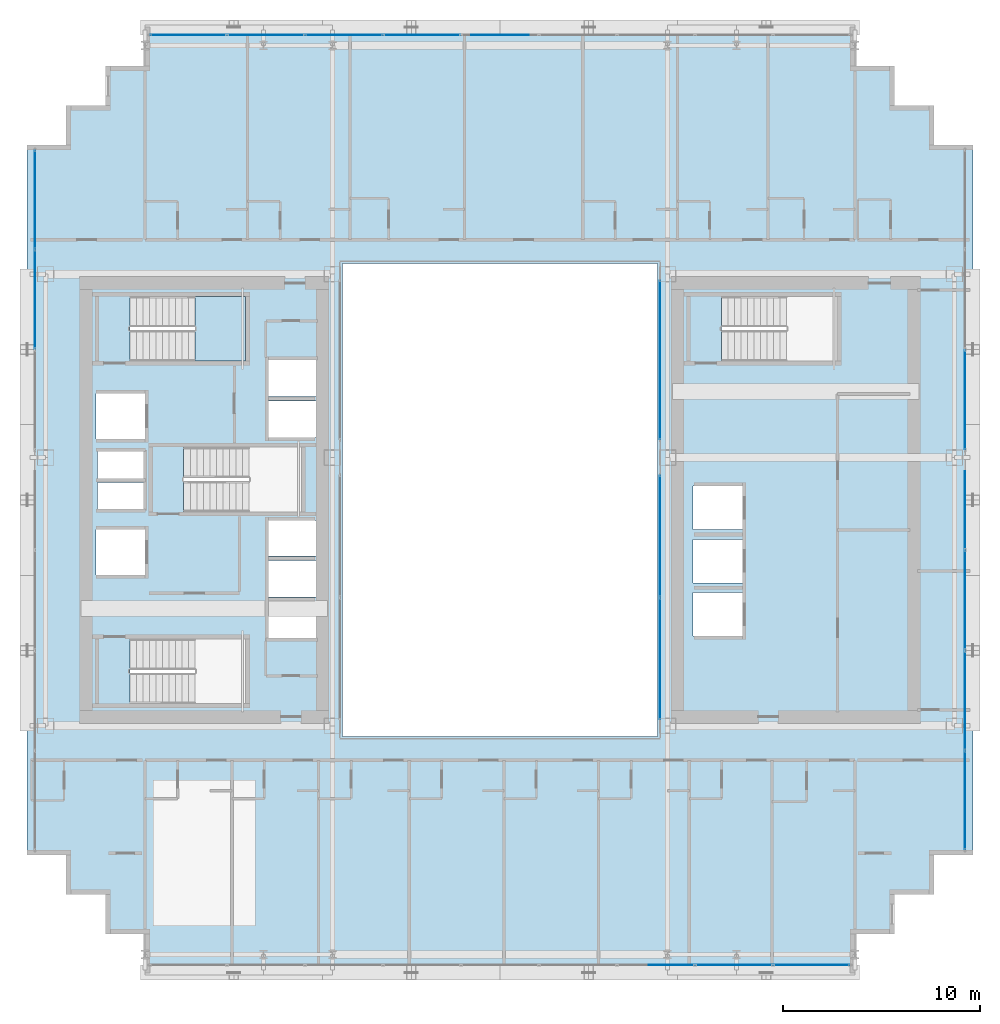
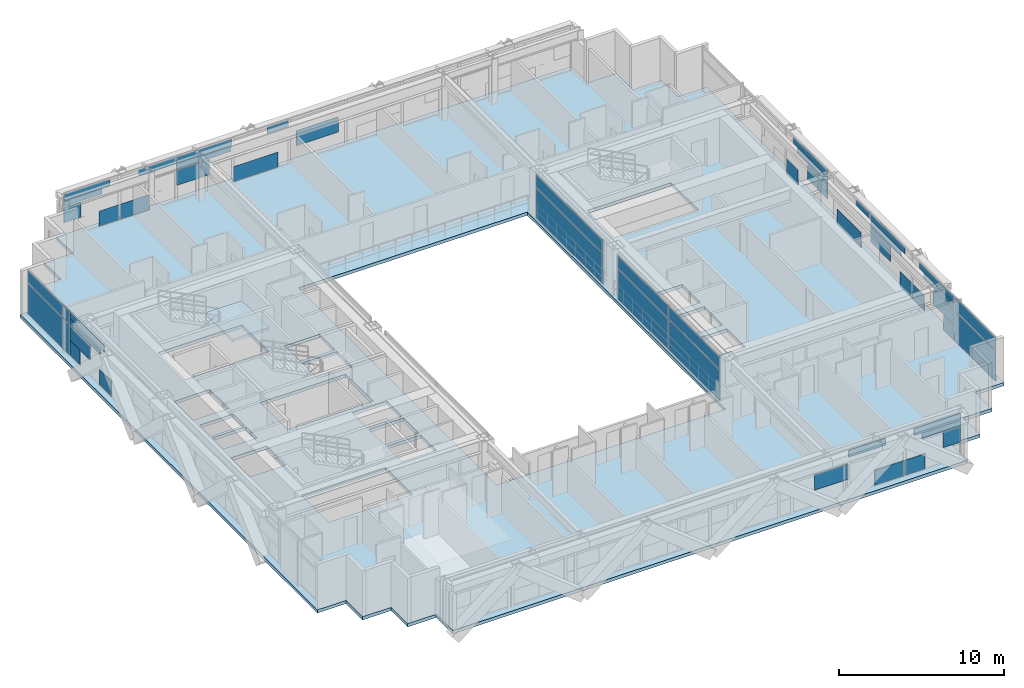
# One storey, part 27 of 39: 49 plates, 2 slabs, 7 elements without a shape of their own.
"""IFC4 building model written with IfcOpenShell, lengths in metres."""

from ifc_helpers import new_model, si_unit, direction, frame, origin, origin_2d, place, context, subcontext, project, spatial, polyline, rectangle, outline, extrude, source, transform, mapped, material, layer, layer_set, type_object, element, aggregate, save


model = new_model("IFC4")

# Units and contexts
model_context = context("Model", 3, precision=1e-05, world=origin(), true_north=direction((0.0, 1.0)))
body_context = subcontext(model_context, "Body", "Model", "MODEL_VIEW")
ifc_project = project(units=[si_unit("LENGTHUNIT", "METRE"), si_unit("AREAUNIT", "SQUARE_METRE"), si_unit("VOLUMEUNIT", "CUBIC_METRE"), si_unit("PLANEANGLEUNIT", "RADIAN"), si_unit("MASSUNIT", "GRAM", prefix="KILO")], contexts=[model_context])

# Site, building, storey
site_placement = place(None, origin())
site = spatial("IfcSite", under=ifc_project, at=site_placement, CompositionType="ELEMENT")
building_placement = place(site_placement, origin())
building = spatial("IfcBuilding", under=site, at=building_placement, Name="Ocotamira Hotel", CompositionType="ELEMENT")
storey_placement = place(building_placement, frame((0.0, 0.0, 104.39990234375)))
storey = spatial("IfcBuildingStorey", under=building, at=storey_placement, Name="L25", CompositionType="ELEMENT", Elevation=104.39990234375)

# Stair, slab
ifc_material_1 = material(Name="Concrete C40/50", Category="concrete")
stair_type = type_object("IfcStairType", Name="ST-CORE-1560", PredefinedType="HALF_TURN_STAIR", material=ifc_material_1)
stair_placement = place(storey_placement, origin())
stair = element("IfcStair", 1, at=stair_placement, inside=storey, type_object=stair_type, Name="L25 Exit Stair ST-2", PredefinedType="HALF_TURN_STAIR")
ifc_layer_1 = layer(ifc_material_1, 0.199951171875)
ifc_layer_set_1 = layer_set([ifc_layer_1], Name="Concrete C40/50")
slab_type_1 = type_object("IfcSlabType", Name="SLB-LAND-200", PredefinedType="LANDING", material=ifc_layer_set_1)
slab_1_placement = place(storey_placement, frame((0.0, 0.0, 1.60009765625)))
slab_1 = element("IfcSlab", 2, at=slab_1_placement, type_object=slab_type_1, Name="ST-2 landing 1", PredefinedType="LANDING", context=body_context, shape_type="SweptSolid", body=[
    extrude(outline(polyline([(16.530029296875, 33.050048828125), (19.090087890625, 33.050048828125), (19.090087890625, 36.330078125), (16.530029296875, 36.330078125), (16.530029296875, 33.050048828125)])), origin(), (0.0, 0.0, 1.0), 0.199951171875),
])
aggregate(stair, [slab_1])

# Slab
ifc_layer_2 = layer(ifc_material_1, 0.239990234375)
ifc_layer_set_2 = layer_set([ifc_layer_2], Name="Concrete C40/50")
slab_type_2 = type_object("IfcSlabType", Name="SLB-TYP-240", PredefinedType="FLOOR", material=ifc_layer_set_2)
slab_2_placement = place(storey_placement, frame((0.0, 0.0, -0.239990234375)))
element("IfcSlab", 3, at=slab_2_placement, inside=storey, type_object=slab_type_2, Name="L25 Structural Floor Slab", PredefinedType="FLOOR", context=body_context, shape_type="SweptSolid", body=[
    extrude(outline(polyline([(14.0, 2.0), (50.0, 2.0), (50.0, 4.0), (52.0, 4.0), (52.0, 6.0), (54.0, 6.0), (54.0, 8.0), (56.0, 8.0), (56.0, 44.0), (54.0, 44.0), (54.0, 46.0), (52.0, 46.0), (52.0, 48.0), (50.0, 48.0), (50.0, 50.0), (14.0, 50.0), (14.0, 48.0), (12.0, 48.0), (12.0, 46.0), (10.0, 46.0), (10.0, 44.0), (8.0, 44.0), (8.0, 8.0), (10.0, 8.0), (10.0, 6.0), (12.0, 6.0), (12.0, 4.0), (14.0, 4.0), (14.0, 2.0)]), holes=[polyline([(24.0, 14.0), (40.0, 14.0), (40.0, 38.0), (24.0, 38.0), (24.0, 14.0)]), polyline([(13.22998046875, 15.669921875), (19.090087890625, 15.669921875), (19.090087890625, 18.949951171875), (13.22998046875, 18.949951171875), (13.22998046875, 15.669921875)]), polyline([(13.22998046875, 33.050048828125), (19.090087890625, 33.050048828125), (19.090087890625, 36.330078125), (13.22998046875, 36.330078125), (13.22998046875, 33.050048828125)]), polyline([(15.9599609375, 25.39990234375), (21.919921875, 25.39990234375), (21.919921875, 28.679931640625), (15.9599609375, 28.679931640625), (15.9599609375, 25.39990234375)]), polyline([(43.22998046875, 33.050048828125), (49.090087890625, 33.050048828125), (49.090087890625, 36.330078125), (43.22998046875, 36.330078125), (43.22998046875, 33.050048828125)]), polyline([(41.800048828125, 19.10009765625), (44.300048828125, 19.10009765625), (44.300048828125, 21.300048828125), (41.800048828125, 21.300048828125), (41.800048828125, 19.10009765625)]), polyline([(41.800048828125, 21.800048828125), (44.300048828125, 21.800048828125), (44.300048828125, 24.0), (41.800048828125, 24.0), (41.800048828125, 21.800048828125)]), polyline([(41.800048828125, 24.5), (44.300048828125, 24.5), (44.300048828125, 26.699951171875), (41.800048828125, 26.699951171875), (41.800048828125, 24.5)]), polyline([(20.25, 19.0), (22.659912109375, 19.0), (22.659912109375, 20.85009765625), (20.25, 20.85009765625), (20.25, 19.0)]), polyline([(20.25, 21.080078125), (22.659912109375, 21.080078125), (22.659912109375, 22.929931640625), (20.25, 22.929931640625), (20.25, 21.080078125)]), polyline([(20.25, 23.159912109375), (22.659912109375, 23.159912109375), (22.659912109375, 24.9599609375), (20.25, 24.9599609375), (20.25, 23.159912109375)]), polyline([(20.25, 29.179931640625), (22.659912109375, 29.179931640625), (22.659912109375, 31.030029296875), (20.25, 31.030029296875), (20.25, 29.179931640625)]), polyline([(20.25, 31.260009765625), (22.659912109375, 31.260009765625), (22.659912109375, 33.110107421875), (20.25, 33.110107421875), (20.25, 31.260009765625)]), polyline([(11.5, 22.199951171875), (14.0, 22.199951171875), (14.0, 24.5), (11.5, 24.5), (11.5, 22.199951171875)]), polyline([(11.5, 29.10009765625), (14.0, 29.10009765625), (14.0, 31.39990234375), (11.5, 31.39990234375), (11.5, 29.10009765625)]), polyline([(11.580078125, 25.550048828125), (13.919921875, 25.550048828125), (13.919921875, 26.89990234375), (11.580078125, 26.89990234375), (11.580078125, 25.550048828125)]), polyline([(11.580078125, 27.10009765625), (13.919921875, 27.10009765625), (13.919921875, 28.449951171875), (11.580078125, 28.449951171875), (11.580078125, 27.10009765625)])]), origin(), (0.0, 0.0, 1.0), 0.239990234375),
])

# Curtain wall, plate
ifc_material_2 = material(Name="Anodised pale-metal aluminium and solar glass", Category="aluminium")
ifc_layer_3 = layer(ifc_material_2, 0.179931640625)
ifc_layer_set_3 = layer_set([ifc_layer_3], Name="Anodised pale-metal aluminium and solar glass")
curtain_wall_type_1 = type_object("IfcCurtainWallType", Name="CW-SYS3-Z2", PredefinedType="NOTDEFINED", material=ifc_layer_set_3)
curtain_wall_1_placement = place(storey_placement, origin())
curtain_wall_1 = element("IfcCurtainWall", 4, at=curtain_wall_1_placement, inside=storey, type_object=curtain_wall_type_1, Name="L25 Curtain Wall CW-3 CW-L25-W", PredefinedType="NOTDEFINED")
ifc_material_3 = material(Name="Double-silver low-E insulated solar glass", Category="glass")
ifc_layer_4 = layer(ifc_material_3, 0.031982421875)
ifc_layer_set_4 = layer_set([ifc_layer_4], Name="Double-silver low-E insulated solar glass")
plate_type = type_object("IfcPlateType", Name="CWP-VISION-32", PredefinedType="CURTAIN_PANEL", material=ifc_layer_set_4)
shared_shape_1 = source(origin(), body_context, "Body", "SweptSolid", [
    extrude(rectangle(XDim=4.9658203125, YDim=0.031982421875, at=origin_2d()), origin(), (0.0, 0.0, 1.0), 2.237548828125),
])
plate_1_placement = place(storey_placement, frame((8.419921875, 41.237060546875, 0.0751953125), z_axis=(0.0, 0.0, 1.0), x_axis=(0.0, 1.0, 0.0)))
plate_1 = element("IfcPlate", 5, at=plate_1_placement, type_object=plate_type, Name="CW-3 panel 7.1", PredefinedType="CURTAIN_PANEL", context=body_context, shape_type="MappedRepresentation", body=[
    mapped(shared_shape_1, transform((0.0, 0.0, 0.0), scale=1.0)),
])

curtain_wall_2_placement = place(storey_placement, origin())
curtain_wall_2 = element("IfcCurtainWall", 6, at=curtain_wall_2_placement, inside=storey, type_object=curtain_wall_type_1, Name="L25 Curtain Wall CW-3 CW-L25-E", PredefinedType="NOTDEFINED")
plate_2_placement = place(storey_placement, frame((55.580078125, 10.762939453125, 0.0751953125), z_axis=(0.0, 0.0, 1.0), x_axis=(0.0, 1.0, 0.0)))
plate_2 = element("IfcPlate", 7, at=plate_2_placement, type_object=plate_type, Name="CW-3 panel 1.1", PredefinedType="CURTAIN_PANEL", context=body_context, shape_type="MappedRepresentation", body=[
    mapped(shared_shape_1, transform((0.0, 0.0, 0.0), scale=1.0)),
])

# Curtain wall, plates
ifc_layer_5 = layer(ifc_material_2, 0.159912109375)
ifc_layer_set_5 = layer_set([ifc_layer_5], Name="Anodised pale-metal aluminium and solar glass")
curtain_wall_type_2 = type_object("IfcCurtainWallType", Name="CW-SYS6-ATR", PredefinedType="NOTDEFINED", material=ifc_layer_set_5)
curtain_wall_3_placement = place(storey_placement, origin())
curtain_wall_3 = element("IfcCurtainWall", 8, at=curtain_wall_3_placement, inside=storey, type_object=curtain_wall_type_2, Name="L25 Curtain Wall CW-6 CW-L25-ATRE1", PredefinedType="NOTDEFINED")
shared_shape_2 = source(origin(), body_context, "Body", "SweptSolid", [
    extrude(rectangle(XDim=6.1298828125, YDim=0.031982421875, at=origin_2d()), origin(), (0.0, 0.0, 1.0), 2.237548828125),
])
plate_3_placement = place(storey_placement, frame((40.1201171875, 17.945068359375, 0.0751953125), z_axis=(0.0, 0.0, 1.0), x_axis=(0.0, 1.0, 0.0)))
plate_3 = element("IfcPlate", 9, at=plate_3_placement, type_object=plate_type, Name="CW-6 panel 1.1", PredefinedType="CURTAIN_PANEL", context=body_context, shape_type="MappedRepresentation", body=[
    mapped(shared_shape_2, transform((0.0, 0.0, 0.0), scale=1.0)),
])
plate_4_placement = place(storey_placement, frame((40.1201171875, 24.155029296875, 0.0751953125), z_axis=(0.0, 0.0, 1.0), x_axis=(0.0, 1.0, 0.0)))
plate_4 = element("IfcPlate", 10, at=plate_4_placement, type_object=plate_type, Name="CW-6 panel 2.1", PredefinedType="CURTAIN_PANEL", context=body_context, shape_type="MappedRepresentation", body=[
    mapped(shared_shape_2, transform((0.0, 0.0, 0.0), scale=1.0)),
])

# Curtain wall, plate
curtain_wall_4_placement = place(storey_placement, origin())
curtain_wall_4 = element("IfcCurtainWall", 11, at=curtain_wall_4_placement, inside=storey, type_object=curtain_wall_type_2, Name="L25 Curtain Wall CW-6 CW-L25-ATRE2", PredefinedType="NOTDEFINED")
shared_shape_3 = source(origin(), body_context, "Body", "SweptSolid", [
    extrude(rectangle(XDim=8.0400390625, YDim=0.031982421875, at=origin_2d()), origin(), (0.0, 0.0, 1.0), 2.237548828125),
])
plate_5_placement = place(storey_placement, frame((40.1201171875, 33.10009765625, 0.0751953125), z_axis=(0.0, 0.0, 1.0), x_axis=(0.0, 1.0, 0.0)))
plate_5 = element("IfcPlate", 12, at=plate_5_placement, type_object=plate_type, Name="CW-6 panel 1.1", PredefinedType="CURTAIN_PANEL", context=body_context, shape_type="MappedRepresentation", body=[
    mapped(shared_shape_3, transform((0.0, 0.0, 0.0), scale=1.0)),
])

curtain_wall_5_placement = place(storey_placement, origin())
curtain_wall_5 = element("IfcCurtainWall", 13, at=curtain_wall_5_placement, inside=storey, type_object=curtain_wall_type_1, Name="L25 Curtain Wall CW-3 CW-L25-S1", PredefinedType="NOTDEFINED")
shared_shape_4 = source(origin(), body_context, "Body", "SweptSolid", [
    extrude(rectangle(XDim=1.184326171875, YDim=0.031982421875, at=origin_2d()), origin(), (0.0, 0.0, 1.0), 1.118896484375),
])
plate_6_placement = place(storey_placement, frame((49.127685546875, 2.419921875, 1.19384765625), z_axis=(0.0, 0.0, 1.0), x_axis=(1.0, 0.0, 0.0)))
plate_6 = element("IfcPlate", 14, at=plate_6_placement, type_object=plate_type, Name="CW-3 panel 9.1.2", PredefinedType="CURTAIN_PANEL", context=body_context, shape_type="MappedRepresentation", body=[
    mapped(shared_shape_4, transform((0.0, 0.0, 0.0), scale=1.0)),
])

curtain_wall_6_placement = place(storey_placement, origin())
curtain_wall_6 = element("IfcCurtainWall", 15, at=curtain_wall_6_placement, inside=storey, type_object=curtain_wall_type_1, Name="L25 Curtain Wall CW-3 CW-L25-N", PredefinedType="NOTDEFINED")
plate_7_placement = place(storey_placement, frame((14.872314453125, 49.580078125, 1.19384765625), z_axis=(0.0, 0.0, 1.0), x_axis=(1.0, 0.0, 0.0)))
plate_7 = element("IfcPlate", 16, at=plate_7_placement, type_object=plate_type, Name="CW-3 panel 1.1.1", PredefinedType="CURTAIN_PANEL", context=body_context, shape_type="MappedRepresentation", body=[
    mapped(shared_shape_4, transform((0.0, 0.0, 0.0), scale=1.0)),
])

# Plate
shared_shape_5 = source(origin(), body_context, "Body", "SweptSolid", [
    extrude(rectangle(XDim=2.676513671875, YDim=0.031982421875, at=origin_2d()), origin(), (0.0, 0.0, 1.0), 0.39453125),
])
plate_8_placement = place(storey_placement, frame((48.381591796875, 2.419921875, 2.3876953125), z_axis=(0.0, 0.0, 1.0), x_axis=(1.0, 0.0, 0.0)))
plate_8 = element("IfcPlate", 17, at=plate_8_placement, type_object=plate_type, Name="CW-3 panel 9.2.2", PredefinedType="CURTAIN_PANEL", context=body_context, shape_type="MappedRepresentation", body=[
    mapped(shared_shape_5, transform((0.0, 0.0, 0.0), scale=1.0)),
])

plate_9_placement = place(storey_placement, frame((15.618408203125, 49.580078125, 2.3876953125), z_axis=(0.0, 0.0, 1.0), x_axis=(1.0, 0.0, 0.0)))
plate_9 = element("IfcPlate", 18, at=plate_9_placement, type_object=plate_type, Name="CW-3 panel 1.2.1", PredefinedType="CURTAIN_PANEL", context=body_context, shape_type="MappedRepresentation", body=[
    mapped(shared_shape_5, transform((0.0, 0.0, 0.0), scale=1.0)),
])

shared_shape_6 = source(origin(), body_context, "Body", "SweptSolid", [
    extrude(rectangle(XDim=3.208740234375, YDim=0.031982421875, at=origin_2d()), origin(), (0.0, 0.0, 1.0), 0.4716796875),
])
plate_10_placement = place(storey_placement, frame((48.115478515625, 2.419921875, 2.8134765625), z_axis=(0.0, 0.0, 1.0), x_axis=(1.0, 0.0, 0.0)))
plate_10 = element("IfcPlate", 19, at=plate_10_placement, type_object=plate_type, Name="CW-3 panel 9.2.1", PredefinedType="CURTAIN_PANEL", context=body_context, shape_type="MappedRepresentation", body=[
    mapped(shared_shape_6, transform((0.0, 0.0, 0.0), scale=1.0)),
])

plate_11_placement = place(storey_placement, frame((15.884521484375, 49.580078125, 2.8134765625), z_axis=(0.0, 0.0, 1.0), x_axis=(1.0, 0.0, 0.0)))
plate_11 = element("IfcPlate", 20, at=plate_11_placement, type_object=plate_type, Name="CW-3 panel 1.2.2", PredefinedType="CURTAIN_PANEL", context=body_context, shape_type="MappedRepresentation", body=[
    mapped(shared_shape_6, transform((0.0, 0.0, 0.0), scale=1.0)),
])

shared_shape_7 = source(origin(), body_context, "Body", "SweptSolid", [
    extrude(rectangle(XDim=2.559814453125, YDim=0.031982421875, at=origin_2d()), origin(), (0.0, 0.0, 1.0), 0.4716796875),
])
plate_12_placement = place(storey_placement, frame((43.208740234375, 2.419921875, 2.8134765625), z_axis=(0.0, 0.0, 1.0), x_axis=(1.0, 0.0, 0.0)))
plate_12 = element("IfcPlate", 21, at=plate_12_placement, type_object=plate_type, Name="CW-3 panel 8.2.1", PredefinedType="CURTAIN_PANEL", context=body_context, shape_type="MappedRepresentation", body=[
    mapped(shared_shape_7, transform((0.0, 0.0, 0.0), scale=1.0)),
])

plate_13_placement = place(storey_placement, frame((20.791259765625, 49.580078125, 2.8134765625), z_axis=(0.0, 0.0, 1.0), x_axis=(1.0, 0.0, 0.0)))
plate_13 = element("IfcPlate", 22, at=plate_13_placement, type_object=plate_type, Name="CW-3 panel 2.2.1", PredefinedType="CURTAIN_PANEL", context=body_context, shape_type="MappedRepresentation", body=[
    mapped(shared_shape_7, transform((0.0, 0.0, 0.0), scale=1.0)),
])

shared_shape_8 = source(origin(), body_context, "Body", "SweptSolid", [
    extrude(rectangle(XDim=2.313232421875, YDim=0.031982421875, at=origin_2d()), origin(), (0.0, 0.0, 1.0), 1.118896484375),
])
plate_14_placement = place(storey_placement, frame((40.6923828125, 2.419921875, 1.19384765625), z_axis=(0.0, 0.0, 1.0), x_axis=(1.0, 0.0, 0.0)))
plate_14 = element("IfcPlate", 23, at=plate_14_placement, type_object=plate_type, Name="CW-3 panel 7.1.1", PredefinedType="CURTAIN_PANEL", context=body_context, shape_type="MappedRepresentation", body=[
    mapped(shared_shape_8, transform((0.0, 0.0, 0.0), scale=1.0)),
])

plate_15_placement = place(storey_placement, frame((23.3076171875, 49.580078125, 1.19384765625), z_axis=(0.0, 0.0, 1.0), x_axis=(1.0, 0.0, 0.0)))
plate_15 = element("IfcPlate", 24, at=plate_15_placement, type_object=plate_type, Name="CW-3 panel 3.1.1", PredefinedType="CURTAIN_PANEL", context=body_context, shape_type="MappedRepresentation", body=[
    mapped(shared_shape_8, transform((0.0, 0.0, 0.0), scale=1.0)),
])

shared_shape_9 = source(origin(), body_context, "Body", "SweptSolid", [
    extrude(rectangle(XDim=3.805419921875, YDim=0.031982421875, at=origin_2d()), origin(), (0.0, 0.0, 1.0), 0.42578125),
])
plate_16_placement = place(storey_placement, frame((24.0537109375, 49.580078125, 2.3876953125), z_axis=(0.0, 0.0, 1.0), x_axis=(1.0, 0.0, 0.0)))
plate_16 = element("IfcPlate", 25, at=plate_16_placement, type_object=plate_type, Name="CW-3 panel 3.2.1", PredefinedType="CURTAIN_PANEL", context=body_context, shape_type="MappedRepresentation", body=[
    mapped(shared_shape_9, transform((0.0, 0.0, 0.0), scale=1.0)),
])

shared_shape_10 = source(origin(), body_context, "Body", "SweptSolid", [
    extrude(rectangle(XDim=3.87548828125, YDim=0.031982421875, at=origin_2d()), origin(), (0.0, 0.0, 1.0), 0.4716796875),
])
plate_17_placement = place(storey_placement, frame((24.0888671875, 49.580078125, 2.8134765625), z_axis=(0.0, 0.0, 1.0), x_axis=(1.0, 0.0, 0.0)))
plate_17 = element("IfcPlate", 26, at=plate_17_placement, type_object=plate_type, Name="CW-3 panel 3.2.2", PredefinedType="CURTAIN_PANEL", context=body_context, shape_type="MappedRepresentation", body=[
    mapped(shared_shape_10, transform((0.0, 0.0, 0.0), scale=1.0)),
])

shared_shape_11 = source(origin(), body_context, "Body", "SweptSolid", [
    extrude(rectangle(XDim=1.470947265625, YDim=0.031982421875, at=origin_2d()), origin(), (0.0, 0.0, 1.0), 0.4716796875),
])
plate_18_placement = place(storey_placement, frame((29.24658203125, 49.580078125, 2.8134765625), z_axis=(0.0, 0.0, 1.0), x_axis=(1.0, 0.0, 0.0)))
plate_18 = element("IfcPlate", 27, at=plate_18_placement, type_object=plate_type, Name="CW-3 panel 4.2.1", PredefinedType="CURTAIN_PANEL", context=body_context, shape_type="MappedRepresentation", body=[
    mapped(shared_shape_11, transform((0.0, 0.0, 0.0), scale=1.0)),
])

shared_shape_12 = source(origin(), body_context, "Body", "SweptSolid", [
    extrude(rectangle(XDim=2.9287109375, YDim=0.031982421875, at=origin_2d()), origin(), (0.0, 0.0, 1.0), 1.118896484375),
])
plate_19_placement = place(storey_placement, frame((32.0, 49.580078125, 1.19384765625), z_axis=(0.0, 0.0, 1.0), x_axis=(1.0, 0.0, 0.0)))
plate_19 = element("IfcPlate", 28, at=plate_19_placement, type_object=plate_type, Name="CW-3 panel 5.1.1", PredefinedType="CURTAIN_PANEL", context=body_context, shape_type="MappedRepresentation", body=[
    mapped(shared_shape_12, transform((0.0, 0.0, 0.0), scale=1.0)),
])

shared_shape_13 = source(origin(), body_context, "Body", "SweptSolid", [
    extrude(rectangle(XDim=4.9658203125, YDim=0.031982421875, at=origin_2d()), origin(), (0.0, 0.0, 1.0), 0.8974609375),
])
plate_20_placement = place(storey_placement, frame((8.419921875, 41.237060546875, 2.3876953125), z_axis=(0.0, 0.0, 1.0), x_axis=(0.0, 1.0, 0.0)))
plate_20 = element("IfcPlate", 29, at=plate_20_placement, type_object=plate_type, Name="CW-3 panel 7.2", PredefinedType="CURTAIN_PANEL", context=body_context, shape_type="MappedRepresentation", body=[
    mapped(shared_shape_13, transform((0.0, 0.0, 0.0), scale=1.0)),
])

plate_21_placement = place(storey_placement, frame((55.580078125, 10.762939453125, 2.3876953125), z_axis=(0.0, 0.0, 1.0), x_axis=(0.0, 1.0, 0.0)))
plate_21 = element("IfcPlate", 30, at=plate_21_placement, type_object=plate_type, Name="CW-3 panel 1.2", PredefinedType="CURTAIN_PANEL", context=body_context, shape_type="MappedRepresentation", body=[
    mapped(shared_shape_13, transform((0.0, 0.0, 0.0), scale=1.0)),
])

shared_shape_14 = source(origin(), body_context, "Body", "SweptSolid", [
    extrude(rectangle(XDim=2.426513671875, YDim=0.031982421875, at=origin_2d()), origin(), (0.0, 0.0, 1.0), 1.118896484375),
])
plate_22_placement = place(storey_placement, frame((8.419921875, 37.461181640625, 1.19384765625), z_axis=(0.0, 0.0, 1.0), x_axis=(0.0, 1.0, 0.0)))
plate_22 = element("IfcPlate", 31, at=plate_22_placement, type_object=plate_type, Name="CW-3 panel 6.1.2", PredefinedType="CURTAIN_PANEL", context=body_context, shape_type="MappedRepresentation", body=[
    mapped(shared_shape_14, transform((0.0, 0.0, 0.0), scale=1.0)),
])

plate_23_placement = place(storey_placement, frame((55.580078125, 14.538818359375, 1.19384765625), z_axis=(0.0, 0.0, 1.0), x_axis=(0.0, 1.0, 0.0)))
plate_23 = element("IfcPlate", 32, at=plate_23_placement, type_object=plate_type, Name="CW-3 panel 2.1.2", PredefinedType="CURTAIN_PANEL", context=body_context, shape_type="MappedRepresentation", body=[
    mapped(shared_shape_14, transform((0.0, 0.0, 0.0), scale=1.0)),
])

shared_shape_15 = source(origin(), body_context, "Body", "SweptSolid", [
    extrude(rectangle(XDim=3.69189453125, YDim=0.031982421875, at=origin_2d()), origin(), (0.0, 0.0, 1.0), 0.414306640625),
])
plate_24_placement = place(storey_placement, frame((8.419921875, 36.828369140625, 2.3876953125), z_axis=(0.0, 0.0, 1.0), x_axis=(0.0, 1.0, 0.0)))
plate_24 = element("IfcPlate", 33, at=plate_24_placement, type_object=plate_type, Name="CW-3 panel 6.2.2", PredefinedType="CURTAIN_PANEL", context=body_context, shape_type="MappedRepresentation", body=[
    mapped(shared_shape_15, transform((0.0, 0.0, 0.0), scale=1.0)),
])

plate_25_placement = place(storey_placement, frame((55.580078125, 15.171630859375, 2.3876953125), z_axis=(0.0, 0.0, 1.0), x_axis=(0.0, 1.0, 0.0)))
plate_25 = element("IfcPlate", 34, at=plate_25_placement, type_object=plate_type, Name="CW-3 panel 2.2.1", PredefinedType="CURTAIN_PANEL", context=body_context, shape_type="MappedRepresentation", body=[
    mapped(shared_shape_15, transform((0.0, 0.0, 0.0), scale=1.0)),
])

shared_shape_16 = source(origin(), body_context, "Body", "SweptSolid", [
    extrude(rectangle(XDim=4.16748046875, YDim=0.031982421875, at=origin_2d()), origin(), (0.0, 0.0, 1.0), 0.44873046875),
])
plate_26_placement = place(storey_placement, frame((8.419921875, 36.590576171875, 2.83642578125), z_axis=(0.0, 0.0, 1.0), x_axis=(0.0, 1.0, 0.0)))
plate_26 = element("IfcPlate", 35, at=plate_26_placement, type_object=plate_type, Name="CW-3 panel 6.2.1", PredefinedType="CURTAIN_PANEL", context=body_context, shape_type="MappedRepresentation", body=[
    mapped(shared_shape_16, transform((0.0, 0.0, 0.0), scale=1.0)),
])

plate_27_placement = place(storey_placement, frame((55.580078125, 15.409423828125, 2.83642578125), z_axis=(0.0, 0.0, 1.0), x_axis=(0.0, 1.0, 0.0)))
plate_27 = element("IfcPlate", 36, at=plate_27_placement, type_object=plate_type, Name="CW-3 panel 2.2.2", PredefinedType="CURTAIN_PANEL", context=body_context, shape_type="MappedRepresentation", body=[
    mapped(shared_shape_16, transform((0.0, 0.0, 0.0), scale=1.0)),
])

shared_shape_17 = source(origin(), body_context, "Body", "SweptSolid", [
    extrude(rectangle(XDim=2.404296875, YDim=0.031982421875, at=origin_2d()), origin(), (0.0, 0.0, 1.0), 1.118896484375),
])
plate_28_placement = place(storey_placement, frame((55.580078125, 22.183349609375, 1.19384765625), z_axis=(0.0, 0.0, 1.0), x_axis=(0.0, 1.0, 0.0)))
plate_28 = element("IfcPlate", 37, at=plate_28_placement, type_object=plate_type, Name="CW-3 panel 3.1.2", PredefinedType="CURTAIN_PANEL", context=body_context, shape_type="MappedRepresentation", body=[
    mapped(shared_shape_17, transform((0.0, 0.0, 0.0), scale=1.0)),
])

plate_29_placement = place(storey_placement, frame((55.580078125, 29.816650390625, 1.19384765625), z_axis=(0.0, 0.0, 1.0), x_axis=(0.0, 1.0, 0.0)))
plate_29 = element("IfcPlate", 38, at=plate_29_placement, type_object=plate_type, Name="CW-3 panel 5.1.1", PredefinedType="CURTAIN_PANEL", context=body_context, shape_type="MappedRepresentation", body=[
    mapped(shared_shape_17, transform((0.0, 0.0, 0.0), scale=1.0)),
])

shared_shape_18 = source(origin(), body_context, "Body", "SweptSolid", [
    extrude(rectangle(XDim=4.17724609375, YDim=0.031982421875, at=origin_2d()), origin(), (0.0, 0.0, 1.0), 0.44873046875),
])
plate_30_placement = place(storey_placement, frame((55.580078125, 21.32861328125, 2.83642578125), z_axis=(0.0, 0.0, 1.0), x_axis=(0.0, 1.0, 0.0)))
plate_30 = element("IfcPlate", 39, at=plate_30_placement, type_object=plate_type, Name="CW-3 panel 3.2.1", PredefinedType="CURTAIN_PANEL", context=body_context, shape_type="MappedRepresentation", body=[
    mapped(shared_shape_18, transform((0.0, 0.0, 0.0), scale=1.0)),
])

plate_31_placement = place(storey_placement, frame((55.580078125, 30.67138671875, 2.83642578125), z_axis=(0.0, 0.0, 1.0), x_axis=(0.0, 1.0, 0.0)))
plate_31 = element("IfcPlate", 40, at=plate_31_placement, type_object=plate_type, Name="CW-3 panel 5.2.2", PredefinedType="CURTAIN_PANEL", context=body_context, shape_type="MappedRepresentation", body=[
    mapped(shared_shape_18, transform((0.0, 0.0, 0.0), scale=1.0)),
])

shared_shape_19 = source(origin(), body_context, "Body", "SweptSolid", [
    extrude(rectangle(XDim=3.70166015625, YDim=0.031982421875, at=origin_2d()), origin(), (0.0, 0.0, 1.0), 0.414306640625),
])
plate_32_placement = place(storey_placement, frame((55.580078125, 21.56640625, 2.3876953125), z_axis=(0.0, 0.0, 1.0), x_axis=(0.0, 1.0, 0.0)))
plate_32 = element("IfcPlate", 41, at=plate_32_placement, type_object=plate_type, Name="CW-3 panel 3.2.2", PredefinedType="CURTAIN_PANEL", context=body_context, shape_type="MappedRepresentation", body=[
    mapped(shared_shape_19, transform((0.0, 0.0, 0.0), scale=1.0)),
])

plate_33_placement = place(storey_placement, frame((55.580078125, 30.43359375, 2.3876953125), z_axis=(0.0, 0.0, 1.0), x_axis=(0.0, 1.0, 0.0)))
plate_33 = element("IfcPlate", 42, at=plate_33_placement, type_object=plate_type, Name="CW-3 panel 5.2.1", PredefinedType="CURTAIN_PANEL", context=body_context, shape_type="MappedRepresentation", body=[
    mapped(shared_shape_19, transform((0.0, 0.0, 0.0), scale=1.0)),
])

shared_shape_20 = source(origin(), body_context, "Body", "SweptSolid", [
    extrude(rectangle(XDim=1.629638671875, YDim=0.031982421875, at=origin_2d()), origin(), (0.0, 0.0, 1.0), 0.44873046875),
])
plate_34_placement = place(storey_placement, frame((55.580078125, 24.31201171875, 2.83642578125), z_axis=(0.0, 0.0, 1.0), x_axis=(0.0, 1.0, 0.0)))
plate_34 = element("IfcPlate", 43, at=plate_34_placement, type_object=plate_type, Name="CW-3 panel 4.2.1", PredefinedType="CURTAIN_PANEL", context=body_context, shape_type="MappedRepresentation", body=[
    mapped(shared_shape_20, transform((0.0, 0.0, 0.0), scale=1.0)),
])

shared_shape_21 = source(origin(), body_context, "Body", "SweptSolid", [
    extrude(rectangle(XDim=1.37060546875, YDim=0.031982421875, at=origin_2d()), origin(), (0.0, 0.0, 1.0), 1.118896484375),
])
plate_35_placement = place(storey_placement, frame((46.569580078125, 2.419921875, 0.0751953125), z_axis=(0.0, 0.0, 1.0), x_axis=(1.0, 0.0, 0.0)))
plate_35 = element("IfcPlate", 44, at=plate_35_placement, type_object=plate_type, Name="CW-3 panel 9.1.1", PredefinedType="CURTAIN_PANEL", context=body_context, shape_type="MappedRepresentation", body=[
    mapped(shared_shape_21, transform((0.0, 0.0, 0.0), scale=1.0)),
])

plate_36_placement = place(storey_placement, frame((17.430419921875, 49.580078125, 0.0751953125), z_axis=(0.0, 0.0, 1.0), x_axis=(1.0, 0.0, 0.0)))
plate_36 = element("IfcPlate", 45, at=plate_36_placement, type_object=plate_type, Name="CW-3 panel 1.1.2", PredefinedType="CURTAIN_PANEL", context=body_context, shape_type="MappedRepresentation", body=[
    mapped(shared_shape_21, transform((0.0, 0.0, 0.0), scale=1.0)),
])

shared_shape_22 = source(origin(), body_context, "Body", "SweptSolid", [
    extrude(rectangle(XDim=2.059326171875, YDim=0.031982421875, at=origin_2d()), origin(), (0.0, 0.0, 1.0), 1.118896484375),
])
plate_37_placement = place(storey_placement, frame((44.774658203125, 2.419921875, 0.0751953125), z_axis=(0.0, 0.0, 1.0), x_axis=(1.0, 0.0, 0.0)))
plate_37 = element("IfcPlate", 46, at=plate_37_placement, type_object=plate_type, Name="CW-3 panel 8.1.1", PredefinedType="CURTAIN_PANEL", context=body_context, shape_type="MappedRepresentation", body=[
    mapped(shared_shape_22, transform((0.0, 0.0, 0.0), scale=1.0)),
])

aggregate(curtain_wall_5, [plate_14, plate_37, plate_12, plate_35, plate_6, plate_10, plate_8])

plate_38_placement = place(storey_placement, frame((19.225341796875, 49.580078125, 0.0751953125), z_axis=(0.0, 0.0, 1.0), x_axis=(1.0, 0.0, 0.0)))
plate_38 = element("IfcPlate", 47, at=plate_38_placement, type_object=plate_type, Name="CW-3 panel 2.1.1", PredefinedType="CURTAIN_PANEL", context=body_context, shape_type="MappedRepresentation", body=[
    mapped(shared_shape_22, transform((0.0, 0.0, 0.0), scale=1.0)),
])

shared_shape_23 = source(origin(), body_context, "Body", "SweptSolid", [
    extrude(rectangle(XDim=3.148193359375, YDim=0.031982421875, at=origin_2d()), origin(), (0.0, 0.0, 1.0), 1.118896484375),
])
plate_39_placement = place(storey_placement, frame((27.680908203125, 49.580078125, 0.0751953125), z_axis=(0.0, 0.0, 1.0), x_axis=(1.0, 0.0, 0.0)))
plate_39 = element("IfcPlate", 48, at=plate_39_placement, type_object=plate_type, Name="CW-3 panel 4.1.1", PredefinedType="CURTAIN_PANEL", context=body_context, shape_type="MappedRepresentation", body=[
    mapped(shared_shape_23, transform((0.0, 0.0, 0.0), scale=1.0)),
])

aggregate(curtain_wall_6, [plate_7, plate_36, plate_9, plate_11, plate_38, plate_13, plate_15, plate_16, plate_17, plate_39, plate_18, plate_19])

shared_shape_24 = source(origin(), body_context, "Body", "SweptSolid", [
    extrude(rectangle(XDim=1.240234375, YDim=0.031982421875, at=origin_2d()), origin(), (0.0, 0.0, 1.0), 1.118896484375),
])
plate_40_placement = place(storey_placement, frame((8.419921875, 38.05419921875, 0.0751953125), z_axis=(0.0, 0.0, 1.0), x_axis=(0.0, 1.0, 0.0)))
plate_40 = element("IfcPlate", 49, at=plate_40_placement, type_object=plate_type, Name="CW-3 panel 6.1.3", PredefinedType="CURTAIN_PANEL", context=body_context, shape_type="MappedRepresentation", body=[
    mapped(shared_shape_24, transform((0.0, 0.0, 0.0), scale=1.0)),
])

plate_41_placement = place(storey_placement, frame((55.580078125, 13.94580078125, 0.0751953125), z_axis=(0.0, 0.0, 1.0), x_axis=(0.0, 1.0, 0.0)))
plate_41 = element("IfcPlate", 50, at=plate_41_placement, type_object=plate_type, Name="CW-3 panel 2.1.1", PredefinedType="CURTAIN_PANEL", context=body_context, shape_type="MappedRepresentation", body=[
    mapped(shared_shape_24, transform((0.0, 0.0, 0.0), scale=1.0)),
])

shared_shape_25 = source(origin(), body_context, "Body", "SweptSolid", [
    extrude(rectangle(XDim=1.413330078125, YDim=0.031982421875, at=origin_2d()), origin(), (0.0, 0.0, 1.0), 1.118896484375),
])
plate_42_placement = place(storey_placement, frame((8.419921875, 34.375244140625, 0.0751953125), z_axis=(0.0, 0.0, 1.0), x_axis=(0.0, 1.0, 0.0)))
plate_42 = element("IfcPlate", 51, at=plate_42_placement, type_object=plate_type, Name="CW-3 panel 6.1.1", PredefinedType="CURTAIN_PANEL", context=body_context, shape_type="MappedRepresentation", body=[
    mapped(shared_shape_25, transform((0.0, 0.0, 0.0), scale=1.0)),
])

aggregate(curtain_wall_1, [plate_42, plate_22, plate_40, plate_26, plate_24, plate_1, plate_20])

plate_43_placement = place(storey_placement, frame((55.580078125, 17.624755859375, 0.0751953125), z_axis=(0.0, 0.0, 1.0), x_axis=(0.0, 1.0, 0.0)))
plate_43 = element("IfcPlate", 52, at=plate_43_placement, type_object=plate_type, Name="CW-3 panel 2.1.3", PredefinedType="CURTAIN_PANEL", context=body_context, shape_type="MappedRepresentation", body=[
    mapped(shared_shape_25, transform((0.0, 0.0, 0.0), scale=1.0)),
])

shared_shape_26 = source(origin(), body_context, "Body", "SweptSolid", [
    extrude(rectangle(XDim=1.40380859375, YDim=0.031982421875, at=origin_2d()), origin(), (0.0, 0.0, 1.0), 1.118896484375),
])
plate_44_placement = place(storey_placement, frame((55.580078125, 19.11328125, 0.0751953125), z_axis=(0.0, 0.0, 1.0), x_axis=(0.0, 1.0, 0.0)))
plate_44 = element("IfcPlate", 53, at=plate_44_placement, type_object=plate_type, Name="CW-3 panel 3.1.1", PredefinedType="CURTAIN_PANEL", context=body_context, shape_type="MappedRepresentation", body=[
    mapped(shared_shape_26, transform((0.0, 0.0, 0.0), scale=1.0)),
])

plate_45_placement = place(storey_placement, frame((55.580078125, 32.88671875, 0.0751953125), z_axis=(0.0, 0.0, 1.0), x_axis=(0.0, 1.0, 0.0)))
plate_45 = element("IfcPlate", 54, at=plate_45_placement, type_object=plate_type, Name="CW-3 panel 5.1.2", PredefinedType="CURTAIN_PANEL", context=body_context, shape_type="MappedRepresentation", body=[
    mapped(shared_shape_26, transform((0.0, 0.0, 0.0), scale=1.0)),
])

shared_shape_27 = source(origin(), body_context, "Body", "SweptSolid", [
    extrude(rectangle(XDim=2.897216796875, YDim=0.031982421875, at=origin_2d()), origin(), (0.0, 0.0, 1.0), 1.118896484375),
])
plate_46_placement = place(storey_placement, frame((55.580078125, 26.0, 0.0751953125), z_axis=(0.0, 0.0, 1.0), x_axis=(0.0, 1.0, 0.0)))
plate_46 = element("IfcPlate", 55, at=plate_46_placement, type_object=plate_type, Name="CW-3 panel 4.1.1", PredefinedType="CURTAIN_PANEL", context=body_context, shape_type="MappedRepresentation", body=[
    mapped(shared_shape_27, transform((0.0, 0.0, 0.0), scale=1.0)),
])

aggregate(curtain_wall_2, [plate_2, plate_21, plate_41, plate_23, plate_43, plate_25, plate_27, plate_44, plate_28, plate_30, plate_32, plate_46, plate_34, plate_29, plate_45, plate_33, plate_31])

shared_shape_28 = source(origin(), body_context, "Body", "SweptSolid", [
    extrude(rectangle(XDim=6.1298828125, YDim=0.031982421875, at=origin_2d()), origin(), (0.0, 0.0, 1.0), 0.8974609375),
])
plate_47_placement = place(storey_placement, frame((40.1201171875, 17.945068359375, 2.3876953125), z_axis=(0.0, 0.0, 1.0), x_axis=(0.0, 1.0, 0.0)))
plate_47 = element("IfcPlate", 56, at=plate_47_placement, type_object=plate_type, Name="CW-6 panel 1.2", PredefinedType="CURTAIN_PANEL", context=body_context, shape_type="MappedRepresentation", body=[
    mapped(shared_shape_28, transform((0.0, 0.0, 0.0), scale=1.0)),
])

plate_48_placement = place(storey_placement, frame((40.1201171875, 24.155029296875, 2.3876953125), z_axis=(0.0, 0.0, 1.0), x_axis=(0.0, 1.0, 0.0)))
plate_48 = element("IfcPlate", 57, at=plate_48_placement, type_object=plate_type, Name="CW-6 panel 2.2", PredefinedType="CURTAIN_PANEL", context=body_context, shape_type="MappedRepresentation", body=[
    mapped(shared_shape_28, transform((0.0, 0.0, 0.0), scale=1.0)),
])

aggregate(curtain_wall_3, [plate_3, plate_47, plate_4, plate_48])

shared_shape_29 = source(origin(), body_context, "Body", "SweptSolid", [
    extrude(rectangle(XDim=8.0400390625, YDim=0.031982421875, at=origin_2d()), origin(), (0.0, 0.0, 1.0), 0.8974609375),
])
plate_49_placement = place(storey_placement, frame((40.1201171875, 33.10009765625, 2.3876953125), z_axis=(0.0, 0.0, 1.0), x_axis=(0.0, 1.0, 0.0)))
plate_49 = element("IfcPlate", 58, at=plate_49_placement, type_object=plate_type, Name="CW-6 panel 1.2", PredefinedType="CURTAIN_PANEL", context=body_context, shape_type="MappedRepresentation", body=[
    mapped(shared_shape_29, transform((0.0, 0.0, 0.0), scale=1.0)),
])

aggregate(curtain_wall_4, [plate_5, plate_49])

save(model, "model.ifc")
